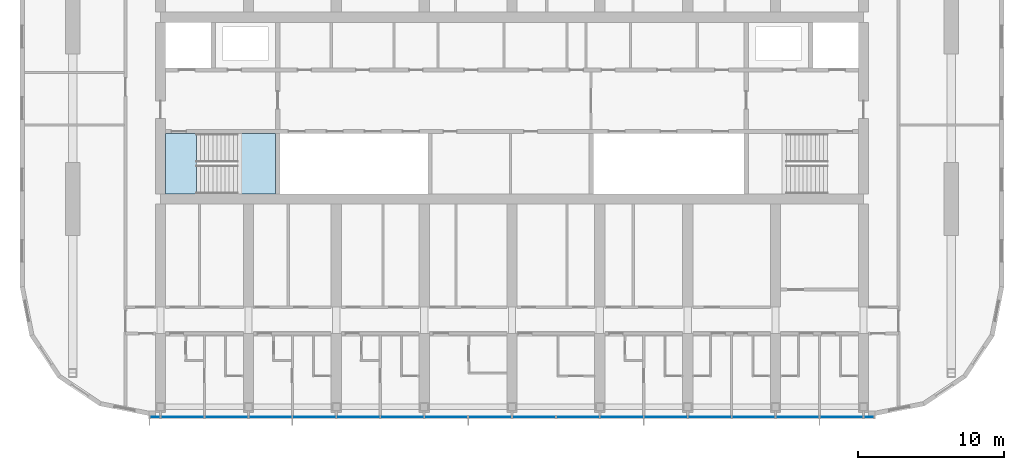
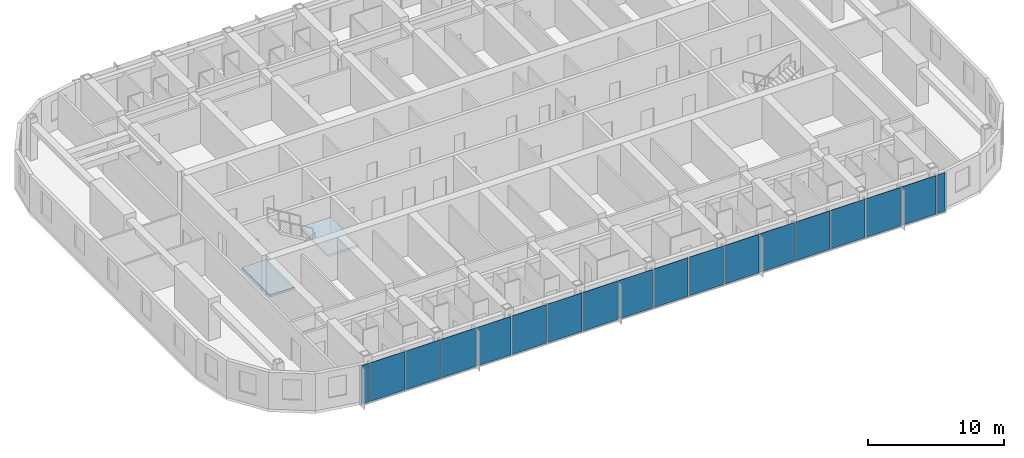
# One storey, part 7 of 24: 18 plates, 2 slabs, 2 elements without a shape of their own.
"""IFC4 building model written with IfcOpenShell, lengths in metres."""

from ifc_helpers import new_model, si_unit, direction, frame, origin, origin_2d, place, context, subcontext, project, spatial, polyline, rectangle, outline, extrude, material, layer, layer_set, type_object, element, aggregate, save


model = new_model("IFC4")

# Units and contexts
model_context = context("Model", 3, precision=1e-05, world=origin(), true_north=direction((0.0, 1.0)))
body_context = subcontext(model_context, "Body", "Model", "MODEL_VIEW")
ifc_project = project(units=[si_unit("LENGTHUNIT", "METRE"), si_unit("AREAUNIT", "SQUARE_METRE"), si_unit("VOLUMEUNIT", "CUBIC_METRE"), si_unit("PLANEANGLEUNIT", "RADIAN"), si_unit("MASSUNIT", "GRAM", prefix="KILO")], contexts=[model_context])

# Site, building, storey
site_placement = place(None, origin())
site = spatial("IfcSite", under=ifc_project, at=site_placement, CompositionType="ELEMENT")
building_placement = place(site_placement, origin())
building = spatial("IfcBuilding", under=site, at=building_placement, Name="Orbita Commons", CompositionType="ELEMENT")
storey_placement = place(building_placement, frame((0.0, 0.0, 242.800048828125)))
storey = spatial("IfcBuildingStorey", under=building, at=storey_placement, Name="L60", CompositionType="ELEMENT", Elevation=242.800048828125)

# Curtain wall, plates
ifc_material_1 = material(Name="Anodised aluminium frame, pale silver", Category="aluminium")
curtain_wall_type = type_object("IfcCurtainWallType", Name="Unitised curtain wall CW-U, full-height vision", PredefinedType="NOTDEFINED", material=ifc_material_1)
curtain_wall_placement = place(storey_placement, origin())
curtain_wall = element("IfcCurtainWall", 1, at=curtain_wall_placement, inside=storey, type_object=curtain_wall_type, Name="Curtain wall south L60", PredefinedType="NOTDEFINED")
ifc_material_2 = material(Name="Clear double glazing", Category="glass")
ifc_layer_1 = layer(ifc_material_2, 0.031982421875)
ifc_layer_set_1 = layer_set([ifc_layer_1], Name="Clear double glazing")
plate_type = type_object("IfcPlateType", Name="Full-height vision panel, clear glazing 32", PredefinedType="CURTAIN_PANEL", material=ifc_layer_set_1)
plate_1_placement = place(storey_placement, frame((17.6201171875, 10.889892578125, -0.14990234375), z_axis=(0.0, 0.0, 1.0), x_axis=(1.0, 0.0, 0.0)))
plate_1 = element("IfcPlate", 2, at=plate_1_placement, type_object=plate_type, Name="Panel 1.1 CW-L60-S", PredefinedType="CURTAIN_PANEL", context=body_context, shape_type="SweptSolid", body=[
    extrude(rectangle(XDim=0.679931640625, YDim=0.031982421875, at=origin_2d()), origin(), (0.0, 0.0, 1.0), 3.449951171875),
])
plate_2_placement = place(storey_placement, frame((19.5, 10.889892578125, -0.14990234375), z_axis=(0.0, 0.0, 1.0), x_axis=(1.0, 0.0, 0.0)))
plate_2 = element("IfcPlate", 3, at=plate_2_placement, type_object=plate_type, Name="Panel 2.1 CW-L60-S", PredefinedType="CURTAIN_PANEL", context=body_context, shape_type="SweptSolid", body=[
    extrude(rectangle(XDim=2.919921875, YDim=0.031982421875, at=origin_2d()), origin(), (0.0, 0.0, 1.0), 3.449951171875),
])
plate_3_placement = place(storey_placement, frame((22.5, 10.889892578125, -0.14990234375), z_axis=(0.0, 0.0, 1.0), x_axis=(1.0, 0.0, 0.0)))
plate_3 = element("IfcPlate", 4, at=plate_3_placement, type_object=plate_type, Name="Panel 3.1 CW-L60-S", PredefinedType="CURTAIN_PANEL", context=body_context, shape_type="SweptSolid", body=[
    extrude(rectangle(XDim=2.919921875, YDim=0.031982421875, at=origin_2d()), origin(), (0.0, 0.0, 1.0), 3.449951171875),
])
plate_4_placement = place(storey_placement, frame((25.5, 10.889892578125, -0.14990234375), z_axis=(0.0, 0.0, 1.0), x_axis=(1.0, 0.0, 0.0)))
plate_4 = element("IfcPlate", 5, at=plate_4_placement, type_object=plate_type, Name="Panel 4.1 CW-L60-S", PredefinedType="CURTAIN_PANEL", context=body_context, shape_type="SweptSolid", body=[
    extrude(rectangle(XDim=2.919921875, YDim=0.031982421875, at=origin_2d()), origin(), (0.0, 0.0, 1.0), 3.449951171875),
])
plate_5_placement = place(storey_placement, frame((28.5, 10.889892578125, -0.14990234375), z_axis=(0.0, 0.0, 1.0), x_axis=(1.0, 0.0, 0.0)))
plate_5 = element("IfcPlate", 6, at=plate_5_placement, type_object=plate_type, Name="Panel 5.1 CW-L60-S", PredefinedType="CURTAIN_PANEL", context=body_context, shape_type="SweptSolid", body=[
    extrude(rectangle(XDim=2.919921875, YDim=0.031982421875, at=origin_2d()), origin(), (0.0, 0.0, 1.0), 3.449951171875),
])
plate_6_placement = place(storey_placement, frame((31.5, 10.889892578125, -0.14990234375), z_axis=(0.0, 0.0, 1.0), x_axis=(1.0, 0.0, 0.0)))
plate_6 = element("IfcPlate", 7, at=plate_6_placement, type_object=plate_type, Name="Panel 6.1 CW-L60-S", PredefinedType="CURTAIN_PANEL", context=body_context, shape_type="SweptSolid", body=[
    extrude(rectangle(XDim=2.919921875, YDim=0.031982421875, at=origin_2d()), origin(), (0.0, 0.0, 1.0), 3.449951171875),
])
plate_7_placement = place(storey_placement, frame((34.5, 10.889892578125, -0.14990234375), z_axis=(0.0, 0.0, 1.0), x_axis=(1.0, 0.0, 0.0)))
plate_7 = element("IfcPlate", 8, at=plate_7_placement, type_object=plate_type, Name="Panel 7.1 CW-L60-S", PredefinedType="CURTAIN_PANEL", context=body_context, shape_type="SweptSolid", body=[
    extrude(rectangle(XDim=2.919921875, YDim=0.031982421875, at=origin_2d()), origin(), (0.0, 0.0, 1.0), 3.449951171875),
])
plate_8_placement = place(storey_placement, frame((37.5, 10.889892578125, -0.14990234375), z_axis=(0.0, 0.0, 1.0), x_axis=(1.0, 0.0, 0.0)))
plate_8 = element("IfcPlate", 9, at=plate_8_placement, type_object=plate_type, Name="Panel 8.1 CW-L60-S", PredefinedType="CURTAIN_PANEL", context=body_context, shape_type="SweptSolid", body=[
    extrude(rectangle(XDim=2.919921875, YDim=0.031982421875, at=origin_2d()), origin(), (0.0, 0.0, 1.0), 3.449951171875),
])
plate_9_placement = place(storey_placement, frame((40.5, 10.889892578125, -0.14990234375), z_axis=(0.0, 0.0, 1.0), x_axis=(1.0, 0.0, 0.0)))
plate_9 = element("IfcPlate", 10, at=plate_9_placement, type_object=plate_type, Name="Panel 9.1 CW-L60-S", PredefinedType="CURTAIN_PANEL", context=body_context, shape_type="SweptSolid", body=[
    extrude(rectangle(XDim=2.919921875, YDim=0.031982421875, at=origin_2d()), origin(), (0.0, 0.0, 1.0), 3.449951171875),
])
plate_10_placement = place(storey_placement, frame((43.5, 10.889892578125, -0.14990234375), z_axis=(0.0, 0.0, 1.0), x_axis=(1.0, 0.0, 0.0)))
plate_10 = element("IfcPlate", 11, at=plate_10_placement, type_object=plate_type, Name="Panel 10.1 CW-L60-S", PredefinedType="CURTAIN_PANEL", context=body_context, shape_type="SweptSolid", body=[
    extrude(rectangle(XDim=2.919921875, YDim=0.031982421875, at=origin_2d()), origin(), (0.0, 0.0, 1.0), 3.449951171875),
])
plate_11_placement = place(storey_placement, frame((46.5, 10.889892578125, -0.14990234375), z_axis=(0.0, 0.0, 1.0), x_axis=(1.0, 0.0, 0.0)))
plate_11 = element("IfcPlate", 12, at=plate_11_placement, type_object=plate_type, Name="Panel 11.1 CW-L60-S", PredefinedType="CURTAIN_PANEL", context=body_context, shape_type="SweptSolid", body=[
    extrude(rectangle(XDim=2.919921875, YDim=0.031982421875, at=origin_2d()), origin(), (0.0, 0.0, 1.0), 3.449951171875),
])
plate_12_placement = place(storey_placement, frame((49.5, 10.889892578125, -0.14990234375), z_axis=(0.0, 0.0, 1.0), x_axis=(1.0, 0.0, 0.0)))
plate_12 = element("IfcPlate", 13, at=plate_12_placement, type_object=plate_type, Name="Panel 12.1 CW-L60-S", PredefinedType="CURTAIN_PANEL", context=body_context, shape_type="SweptSolid", body=[
    extrude(rectangle(XDim=2.919921875, YDim=0.031982421875, at=origin_2d()), origin(), (0.0, 0.0, 1.0), 3.449951171875),
])
plate_13_placement = place(storey_placement, frame((52.5, 10.889892578125, -0.14990234375), z_axis=(0.0, 0.0, 1.0), x_axis=(1.0, 0.0, 0.0)))
plate_13 = element("IfcPlate", 14, at=plate_13_placement, type_object=plate_type, Name="Panel 13.1 CW-L60-S", PredefinedType="CURTAIN_PANEL", context=body_context, shape_type="SweptSolid", body=[
    extrude(rectangle(XDim=2.919921875, YDim=0.031982421875, at=origin_2d()), origin(), (0.0, 0.0, 1.0), 3.449951171875),
])
plate_14_placement = place(storey_placement, frame((55.5, 10.889892578125, -0.14990234375), z_axis=(0.0, 0.0, 1.0), x_axis=(1.0, 0.0, 0.0)))
plate_14 = element("IfcPlate", 15, at=plate_14_placement, type_object=plate_type, Name="Panel 14.1 CW-L60-S", PredefinedType="CURTAIN_PANEL", context=body_context, shape_type="SweptSolid", body=[
    extrude(rectangle(XDim=2.919921875, YDim=0.031982421875, at=origin_2d()), origin(), (0.0, 0.0, 1.0), 3.449951171875),
])
plate_15_placement = place(storey_placement, frame((58.5, 10.889892578125, -0.14990234375), z_axis=(0.0, 0.0, 1.0), x_axis=(1.0, 0.0, 0.0)))
plate_15 = element("IfcPlate", 16, at=plate_15_placement, type_object=plate_type, Name="Panel 15.1 CW-L60-S", PredefinedType="CURTAIN_PANEL", context=body_context, shape_type="SweptSolid", body=[
    extrude(rectangle(XDim=2.919921875, YDim=0.031982421875, at=origin_2d()), origin(), (0.0, 0.0, 1.0), 3.449951171875),
])
plate_16_placement = place(storey_placement, frame((61.5, 10.889892578125, -0.14990234375), z_axis=(0.0, 0.0, 1.0), x_axis=(1.0, 0.0, 0.0)))
plate_16 = element("IfcPlate", 17, at=plate_16_placement, type_object=plate_type, Name="Panel 16.1 CW-L60-S", PredefinedType="CURTAIN_PANEL", context=body_context, shape_type="SweptSolid", body=[
    extrude(rectangle(XDim=2.919921875, YDim=0.031982421875, at=origin_2d()), origin(), (0.0, 0.0, 1.0), 3.449951171875),
])
plate_17_placement = place(storey_placement, frame((64.5, 10.889892578125, -0.14990234375), z_axis=(0.0, 0.0, 1.0), x_axis=(1.0, 0.0, 0.0)))
plate_17 = element("IfcPlate", 18, at=plate_17_placement, type_object=plate_type, Name="Panel 17.1 CW-L60-S", PredefinedType="CURTAIN_PANEL", context=body_context, shape_type="SweptSolid", body=[
    extrude(rectangle(XDim=2.919921875, YDim=0.031982421875, at=origin_2d()), origin(), (0.0, 0.0, 1.0), 3.449951171875),
])
plate_18_placement = place(storey_placement, frame((66.3798828125, 10.889892578125, -0.14990234375), z_axis=(0.0, 0.0, 1.0), x_axis=(1.0, 0.0, 0.0)))
plate_18 = element("IfcPlate", 19, at=plate_18_placement, type_object=plate_type, Name="Panel 18.1 CW-L60-S", PredefinedType="CURTAIN_PANEL", context=body_context, shape_type="SweptSolid", body=[
    extrude(rectangle(XDim=0.679931640625, YDim=0.031982421875, at=origin_2d()), origin(), (0.0, 0.0, 1.0), 3.449951171875),
])
aggregate(curtain_wall, [plate_1, plate_2, plate_3, plate_4, plate_5, plate_6, plate_7, plate_8, plate_9, plate_10, plate_11, plate_12, plate_13, plate_14, plate_15, plate_16, plate_17, plate_18])

# Stair, slabs
ifc_material_3 = material(Name="Precast concrete C40/50", Category="concrete")
stair_type = type_object("IfcStairType", Name="Exit stair S1 2 flights 11 risers 170", PredefinedType="HALF_TURN_STAIR", material=ifc_material_3)
stair_placement = place(storey_placement, origin())
stair = element("IfcStair", 20, at=stair_placement, inside=storey, type_object=stair_type, Name="Exit stair S1 L60", PredefinedType="HALF_TURN_STAIR")
ifc_material_4 = material(Name="Concrete C40/50", Category="concrete")
ifc_layer_2 = layer(ifc_material_4, 0.199951171875)
ifc_layer_set_2 = layer_set([ifc_layer_2], Name="Concrete C40/50")
slab_type = type_object("IfcSlabType", Name="Stair landing 200", PredefinedType="LANDING", material=ifc_layer_set_2)
slab_1_placement = place(storey_placement, frame((0.0, 0.0, -0.199951171875)))
slab_1 = element("IfcSlab", 21, at=slab_1_placement, type_object=slab_type, Name="S1 landing 1", PredefinedType="LANDING", context=body_context, shape_type="SweptSolid", body=[
    extrude(outline(polyline([(18.35009765625, 26.14990234375), (20.449951171875, 26.14990234375), (20.449951171875, 30.25), (18.35009765625, 30.25), (18.35009765625, 26.14990234375)])), origin(), (0.0, 0.0, 1.0), 0.199951171875),
])
slab_2_placement = place(storey_placement, frame((0.0, 0.0, 1.675048828125)))
slab_2 = element("IfcSlab", 22, at=slab_2_placement, type_object=slab_type, Name="S1 landing 2", PredefinedType="LANDING", context=body_context, shape_type="SweptSolid", body=[
    extrude(outline(polyline([(23.25, 26.135009765625), (25.864990234375, 26.135009765625), (25.864990234375, 30.264892578125), (23.25, 30.264892578125), (23.25, 26.135009765625)])), origin(), (0.0, 0.0, 1.0), 0.199951171875),
])
aggregate(stair, [slab_1, slab_2])

save(model, "model.ifc")
